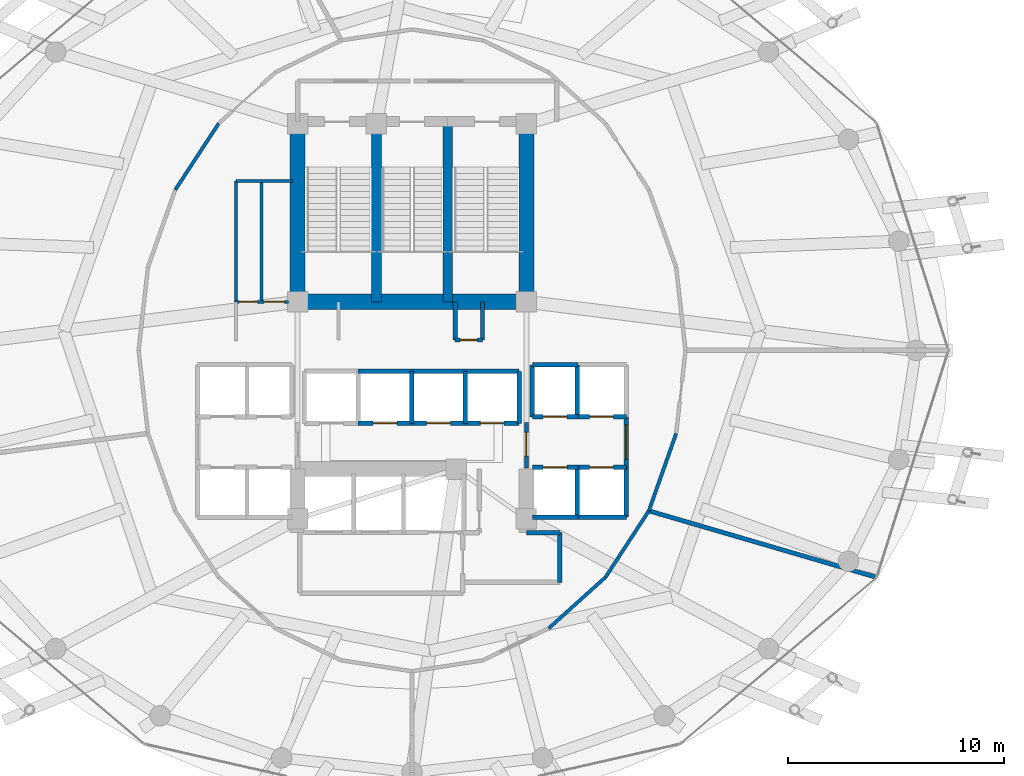
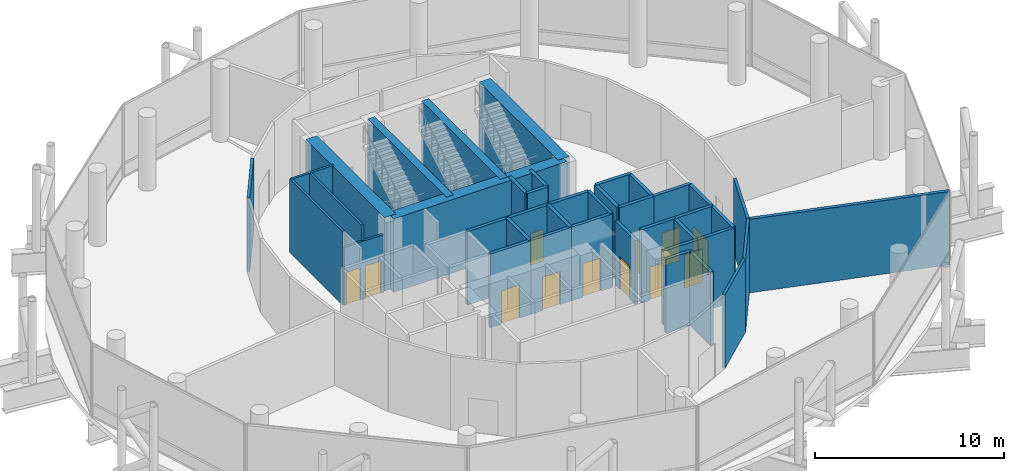
# One storey, part 23 of 29: 41 walls, 12 doors, 12 openings.
"""IFC4 building model written with IfcOpenShell, lengths in metres."""

from ifc_helpers import new_model, si_unit, direction, frame, frame_2d, origin, place, context, subcontext, project, spatial, rectangle, extrude, material, layer, layer_set, type_object, element, fill, save


model = new_model("IFC4")

# Units and contexts
model_context = context("Model", 3, precision=1e-05, world=origin(), true_north=direction((0.0, 1.0)))
body_context = subcontext(model_context, "Body", "Model", "MODEL_VIEW")
ifc_project = project(units=[si_unit("LENGTHUNIT", "METRE"), si_unit("AREAUNIT", "SQUARE_METRE"), si_unit("VOLUMEUNIT", "CUBIC_METRE"), si_unit("PLANEANGLEUNIT", "RADIAN"), si_unit("MASSUNIT", "GRAM", prefix="KILO")], contexts=[model_context])

# Site, building, storey
site_placement = place(None, origin())
site = spatial("IfcSite", under=ifc_project, at=site_placement, CompositionType="ELEMENT")
building_placement = place(site_placement, origin())
building = spatial("IfcBuilding", under=site, at=building_placement, Name="Nuhasar Tower", CompositionType="ELEMENT")
storey_placement = place(building_placement, frame((0.0, 0.0, 113.25)))
storey = spatial("IfcBuildingStorey", under=building, at=storey_placement, Name="L26", CompositionType="ELEMENT", Elevation=113.25)

# Walls
ifc_material_1 = material(Name="Concrete C50/60", Category="concrete")
ifc_layer_1 = layer(ifc_material_1, 0.449951171875)
ifc_layer_set_1 = layer_set([ifc_layer_1], Name="Concrete C50/60")
wall_type_1 = type_object("IfcWallType", Name="WL-CORE-450", PredefinedType="SHEAR", material=ifc_layer_set_1)
for number, where, z_axis, x_axis, name in (
    (1, (37.35009765625, 29.050048828125, 0.0), (0.0, 0.0, 1.0), (0.0, 1.0, 0.0), "L26 Stairwell Shear Wall ST01-E"),
    (2, (40.64990234375, 29.050048828125, 0.0), (0.0, 0.0, 1.0), (0.0, 1.0, 0.0), "L26 Stairwell Shear Wall ST03-E"),
):
    element("IfcWall", number, at=place(storey_placement, frame(where, z_axis=z_axis, x_axis=x_axis)), inside=storey, type_object=wall_type_1, Name=name, PredefinedType="SHEAR", context=body_context, shape_type="SweptSolid", body=[
        extrude(rectangle(XDim=8.349853515625, YDim=0.449951171875, at=frame_2d((4.1748046875, 0.0))), origin(), (0.0, 0.0, 1.0), 4.75),
    ])
ifc_material_2 = material(Name="Concrete C65/80", Category="concrete")
ifc_layer_2 = layer(ifc_material_2, 0.699951171875)
ifc_layer_set_2 = layer_set([ifc_layer_2], Name="Concrete C65/80")
wall_type_2 = type_object("IfcWallType", Name="WL-CORE-700", PredefinedType="SHEAR", material=ifc_layer_set_2)
for number, where, z_axis, x_axis, name in (
    (3, (33.699951171875, 29.050048828125, 0.0), (0.0, 0.0, 1.0), (0.0, 1.0, 0.0), "L26 Core Shear Wall CW-NW CW-700"),
    (4, (44.300048828125, 29.050048828125, 0.0), (0.0, 0.0, 1.0), (0.0, 1.0, 0.0), "L26 Core Shear Wall CW-NE CW-700"),
):
    element("IfcWall", number, at=place(storey_placement, frame(where, z_axis=z_axis, x_axis=x_axis)), inside=storey, type_object=wall_type_2, Name=name, PredefinedType="SHEAR", context=body_context, shape_type="SweptSolid", body=[
        extrude(rectangle(XDim=8.349853515625, YDim=0.699951171875, at=frame_2d((4.1748046875, 0.0))), origin(), (0.0, 0.0, 1.0), 4.75),
    ])
wall_1_placement = place(storey_placement, frame((33.699951171875, 29.050048828125, 0.0), z_axis=(0.0, 0.0, 1.0), x_axis=(1.0, 0.0, 0.0)))
element("IfcWall", 5, at=wall_1_placement, inside=storey, type_object=wall_type_2, Name="L26 Core Shear Wall CW-N1 CW-700", PredefinedType="SHEAR", context=body_context, shape_type="SweptSolid", body=[
    extrude(rectangle(XDim=10.60009765625, YDim=0.699951171875, at=frame_2d((5.300048828125, 0.0))), origin(), (0.0, 0.0, 1.0), 4.75),
])
ifc_material_3 = material(Name="Gypsum Board", Category="gypsum")
ifc_layer_3 = layer(ifc_material_3, 0.159912109375)
ifc_layer_set_3 = layer_set([ifc_layer_3], Name="Gypsum Board")
wall_type_3 = type_object("IfcWallType", Name="WL-CORR-160", PredefinedType="PARTITIONING", material=ifc_layer_set_3)
wall_2_placement = place(storey_placement, frame((30.041015625, 37.31494140625, 0.0), z_axis=(0.0, 0.0, 1.0), x_axis=(-0.547283325884, -0.836947406477, 0.0)))
element("IfcWall", 6, at=wall_2_placement, inside=storey, type_object=wall_type_3, Name="L26 Interior Partition CORR-18", PredefinedType="PARTITIONING", context=body_context, shape_type="SweptSolid", body=[
    extrude(rectangle(XDim=3.679931640625, YDim=0.159912109375, at=frame_2d((1.83984375, 0.0))), origin(), (0.0, 0.0, 1.0), 4.75),
])
wall_3_placement = place(storey_placement, frame((45.3349609375, 13.922119140625, 0.0), z_axis=(0.0, 0.0, 1.0), x_axis=(0.743129101656, 0.66914806902, 0.0)))
element("IfcWall", 7, at=wall_3_placement, inside=storey, type_object=wall_type_3, Name="L26 Interior Partition CORR-40", PredefinedType="PARTITIONING", context=body_context, shape_type="SweptSolid", body=[
    extrude(rectangle(XDim=3.531005859375, YDim=0.159912109375, at=frame_2d((1.765625, 0.0))), origin(), (0.0, 0.0, 1.0), 4.75),
])
wall_4_placement = place(storey_placement, frame((47.958984375, 16.284912109375, 0.0), z_axis=(0.0, 0.0, 1.0), x_axis=(0.547252937869, 0.836967276537, 0.0)))
element("IfcWall", 8, at=wall_4_placement, inside=storey, type_object=wall_type_3, Name="L26 Interior Partition CORR-42", PredefinedType="PARTITIONING", context=body_context, shape_type="SweptSolid", body=[
    extrude(rectangle(XDim=3.679931640625, YDim=0.159912109375, at=frame_2d((1.83984375, 0.0))), origin(), (0.0, 0.0, 1.0), 4.75),
])
wall_5_placement = place(storey_placement, frame((49.972900390625, 19.364990234375, 0.0), z_axis=(0.0, 0.0, 1.0), x_axis=(0.332705930675, 0.943030627124, 0.0)))
element("IfcWall", 9, at=wall_5_placement, inside=storey, type_object=wall_type_3, Name="L26 Interior Partition CORR-44", PredefinedType="PARTITIONING", context=body_context, shape_type="SweptSolid", body=[
    extrude(rectangle(XDim=3.802490234375, YDim=0.159912109375, at=frame_2d((1.9013671875, 0.0))), origin(), (0.0, 0.0, 1.0), 4.75),
])

# Wall, opening, door
ifc_material_4 = material(Name="Concrete C45/55", Category="concrete")
ifc_layer_4 = layer(ifc_material_4, 0.199951171875)
ifc_layer_set_4 = layer_set([ifc_layer_4], Name="Concrete C45/55")
wall_type_4 = type_object("IfcWallType", Name="WL-LOBBY-200", PredefinedType="SOLIDWALL", material=ifc_layer_set_4)
wall_6_placement = place(storey_placement, frame((48.929931640625, 21.3798828125, 0.0), z_axis=(0.0, 0.0, 1.0), x_axis=(0.0, 1.0, 0.0)))
wall_6 = element("IfcWall", 10, at=wall_6_placement, inside=storey, type_object=wall_type_4, Name="L26 Interior Partition LLBM-E", PredefinedType="SOLIDWALL", context=body_context, shape_type="SweptSolid", body=[
    extrude(rectangle(XDim=2.340087890625, YDim=0.199951171875, at=frame_2d((1.169921875, 0.0))), origin(), (0.0, 0.0, 1.0), 4.75),
])
opening_1_placement = place(wall_6_placement, frame((0.3701171875, 0.0, 0.0)))
opening_1 = element("IfcOpeningElement", 11, at=opening_1_placement, cuts=wall_6, Name="Opening DC-01", PredefinedType="OPENING", context=body_context, shape_type="SweptSolid", body=[
    extrude(rectangle(XDim=1.60009765625, YDim=2.199951171875, at=frame_2d((0.800048828125, 1.10009765625))), frame((0.0, 0.10986328125, 0.0), z_axis=(0.0, -1.0, 0.0), x_axis=(1.0, 0.0, 0.0)), (0.0, 0.0, 1.0), 0.219970703125),
])
ifc_material_5 = material(Name="Steel S355", Category="steel")
door_type_1 = type_object("IfcDoorType", Name="DR-CORR-FD60-1600", OperationType="DOUBLE_DOOR_SINGLE_SWING", PredefinedType="DOOR", material=ifc_material_5)
door_1_placement = place(opening_1_placement, origin())
door_1 = element("IfcDoor", 12, at=door_1_placement, inside=storey, type_object=door_type_1, Name="L26 Mid-Rise Lift Lobby East Entry", OperationType="DOUBLE_DOOR_SINGLE_SWING", OverallHeight=2.199951171875, OverallWidth=1.60009765625, PredefinedType="DOOR", context=body_context, shape_type="SweptSolid", body=[
    extrude(rectangle(XDim=1.60009765625, YDim=2.199951171875, at=frame_2d((0.800048828125, 1.10009765625))), frame((0.0, 0.02490234375, 0.0), z_axis=(0.0, -1.0, 0.0), x_axis=(1.0, 0.0, 0.0)), (0.0, 0.0, 1.0), 0.050048828125),
])
fill(opening_1, door_1)

wall_7_placement = place(storey_placement, frame((44.300048828125, 21.35009765625, 0.0), z_axis=(0.0, 0.0, 1.0), x_axis=(0.0, 1.0, 0.0)))
wall_7 = element("IfcWall", 13, at=wall_7_placement, inside=storey, type_object=wall_type_4, Name="L26 Interior Partition LLBH-E", PredefinedType="SOLIDWALL", context=body_context, shape_type="SweptSolid", body=[
    extrude(rectangle(XDim=2.099853515625, YDim=0.199951171875, at=frame_2d((1.0498046875, 0.0))), origin(), (0.0, 0.0, 1.0), 4.135009765625),
])
opening_2_placement = place(wall_7_placement, frame((0.550048828125, 0.0, 0.0)))
opening_2 = element("IfcOpeningElement", 14, at=opening_2_placement, cuts=wall_7, Name="Opening DS-02", PredefinedType="OPENING", context=body_context, shape_type="SweptSolid", body=[
    extrude(rectangle(XDim=1.10009765625, YDim=2.14990234375, at=frame_2d((0.550048828125, 1.074951171875))), frame((0.0, 0.10986328125, 0.0), z_axis=(0.0, -1.0, 0.0), x_axis=(1.0, 0.0, 0.0)), (0.0, 0.0, 1.0), 0.219970703125),
])
door_type_2 = type_object("IfcDoorType", Name="DR-FFL-FD120-1100", OperationType="NOTDEFINED", PredefinedType="DOOR", material=ifc_material_5)
door_2_placement = place(opening_2_placement, origin())
door_2 = element("IfcDoor", 15, at=door_2_placement, inside=storey, type_object=door_type_2, Name="L26 High-Rise Lobby East Door", OperationType="SINGLE_SWING_RIGHT", OverallHeight=2.14990234375, OverallWidth=1.10009765625, PredefinedType="DOOR", context=body_context, shape_type="SweptSolid", body=[
    extrude(rectangle(XDim=1.10009765625, YDim=2.14990234375, at=frame_2d((0.550048828125, 1.074951171875))), frame((0.0, 0.02490234375, 0.0), z_axis=(0.0, -1.0, 0.0), x_axis=(1.0, 0.0, 0.0)), (0.0, 0.0, 1.0), 0.050048828125),
])
fill(opening_2, door_2)

# Walls
wall_8_placement = place(storey_placement, frame((45.85009765625, 16.050048828125, 0.0), z_axis=(0.0, 0.0, 1.0), x_axis=(0.0, 1.0, 0.0)))
element("IfcWall", 16, at=wall_8_placement, inside=storey, type_object=wall_type_4, Name="L26 Interior Partition SVLV-E", PredefinedType="SOLIDWALL", context=body_context, shape_type="SweptSolid", body=[
    extrude(rectangle(XDim=2.300048828125, YDim=0.199951171875, at=frame_2d((1.14990234375, 0.0))), origin(), (0.0, 0.0, 1.0), 4.75),
])
wall_9_placement = place(storey_placement, frame((44.300048828125, 18.35009765625, 0.0), z_axis=(0.0, 0.0, 1.0), x_axis=(1.0, 0.0, 0.0)))
element("IfcWall", 17, at=wall_9_placement, inside=storey, type_object=wall_type_4, Name="L26 Interior Partition SVLV-N", PredefinedType="SOLIDWALL", context=body_context, shape_type="SweptSolid", body=[
    extrude(rectangle(XDim=1.550048828125, YDim=0.199951171875, at=frame_2d((0.77490234375, 0.0))), origin(), (0.0, 0.0, 1.0), 4.75),
])
ifc_layer_5 = layer(ifc_material_4, 0.199951171875)
ifc_layer_set_5 = layer_set([ifc_layer_5], Name="Concrete C45/55")
wall_type_5 = type_object("IfcWallType", Name="WL-SHAFT-200", PredefinedType="SOLIDWALL", material=ifc_layer_set_5)
for number, where, z_axis, x_axis, name in (
    (18, (41.0, 27.280029296875, 0.0), (0.0, 0.0, 1.0), (0.0, 1.0, 0.0), "L26 Interior Partition RSRN-W"),
    (19, (42.260009765625, 27.280029296875, 0.0), (0.0, 0.0, 1.0), (0.0, 1.0, 0.0), "L26 Interior Partition RSRN-E"),
):
    element("IfcWall", number, at=place(storey_placement, frame(where, z_axis=z_axis, x_axis=x_axis)), inside=storey, type_object=wall_type_5, Name=name, PredefinedType="SOLIDWALL", context=body_context, shape_type="SweptSolid", body=[
        extrude(rectangle(XDim=1.77001953125, YDim=0.199951171875, at=frame_2d((0.885009765625, 0.0))), origin(), (0.0, 0.0, 1.0), 4.75),
    ])

# Wall, opening, door
wall_10_placement = place(storey_placement, frame((41.0, 27.280029296875, 0.0), z_axis=(0.0, 0.0, 1.0), x_axis=(1.0, 0.0, 0.0)))
wall_10 = element("IfcWall", 20, at=wall_10_placement, inside=storey, type_object=wall_type_5, Name="L26 Interior Partition RSRN-S", PredefinedType="SOLIDWALL", context=body_context, shape_type="SweptSolid", body=[
    extrude(rectangle(XDim=1.260009765625, YDim=0.199951171875, at=frame_2d((0.6298828125, 0.0))), origin(), (0.0, 0.0, 1.0), 4.75),
])
opening_3_placement = place(wall_10_placement, frame((0.22998046875, 0.0, 0.0)))
opening_3 = element("IfcOpeningElement", 21, at=opening_3_placement, cuts=wall_10, Name="Opening DM-01", PredefinedType="OPENING", context=body_context, shape_type="SweptSolid", body=[
    extrude(rectangle(XDim=0.800048828125, YDim=2.050048828125, at=frame_2d((0.39990234375, 1.02490234375))), frame((0.0, 0.10986328125, 0.0), z_axis=(0.0, -1.0, 0.0), x_axis=(1.0, 0.0, 0.0)), (0.0, 0.0, 1.0), 0.219970703125),
])
door_type_3 = type_object("IfcDoorType", Name="DR-RISER-FD60-800", OperationType="NOTDEFINED", PredefinedType="DOOR", material=ifc_material_5)
door_3_placement = place(opening_3_placement, origin())
door_3 = element("IfcDoor", 22, at=door_3_placement, inside=storey, type_object=door_type_3, Name="L26 North Smoke Riser Door", OperationType="SINGLE_SWING_RIGHT", OverallHeight=2.050048828125, OverallWidth=0.800048828125, PredefinedType="DOOR", context=body_context, shape_type="SweptSolid", body=[
    extrude(rectangle(XDim=0.800048828125, YDim=2.050048828125, at=frame_2d((0.39990234375, 1.02490234375))), frame((0.0, 0.02490234375, 0.0), z_axis=(0.0, -1.0, 0.0), x_axis=(1.0, 0.0, 0.0)), (0.0, 0.0, 1.0), 0.050048828125),
])
fill(opening_3, door_3)

wall_11_placement = place(storey_placement, frame((44.570068359375, 23.719970703125, 0.0), z_axis=(0.0, 0.0, 1.0), x_axis=(1.0, 0.0, 0.0)))
wall_11 = element("IfcWall", 23, at=wall_11_placement, inside=storey, type_object=wall_type_5, Name="L26 Interior Partition SHF-PL-M01-S", PredefinedType="SOLIDWALL", context=body_context, shape_type="SweptSolid", body=[
    extrude(rectangle(XDim=2.10986328125, YDim=0.199951171875, at=frame_2d((1.054931640625, 0.0))), origin(), (0.0, 0.0, 1.0), 4.75),
])
opening_4_placement = place(wall_11_placement, frame((0.5048828125, 0.0, 0.0)))
opening_4 = element("IfcOpeningElement", 24, at=opening_4_placement, cuts=wall_11, Name="Opening LD-M01", PredefinedType="OPENING", context=body_context, shape_type="SweptSolid", body=[
    extrude(rectangle(XDim=1.10009765625, YDim=2.14990234375, at=frame_2d((0.550048828125, 1.074951171875))), frame((0.0, 0.10986328125, 0.0), z_axis=(0.0, -1.0, 0.0), x_axis=(1.0, 0.0, 0.0)), (0.0, 0.0, 1.0), 0.219970703125),
])
ifc_material_6 = material(Name="Stainless Steel 316L", Category="steel")
door_type_4 = type_object("IfcDoorType", Name="LD-PAX-1100", OperationType="DOUBLE_DOOR_SLIDING", PredefinedType="DOOR", material=ifc_material_6)
door_4_placement = place(opening_4_placement, origin())
door_4 = element("IfcDoor", 25, at=door_4_placement, inside=storey, type_object=door_type_4, Name="L26 Lift Landing Door PL-M01", OperationType="DOUBLE_DOOR_SLIDING", OverallHeight=2.14990234375, OverallWidth=1.10009765625, PredefinedType="DOOR", context=body_context, shape_type="SweptSolid", body=[
    extrude(rectangle(XDim=1.10009765625, YDim=2.14990234375, at=frame_2d((0.550048828125, 1.074951171875))), frame((0.0, 0.02490234375, 0.0), z_axis=(0.0, -1.0, 0.0), x_axis=(1.0, 0.0, 0.0)), (0.0, 0.0, 1.0), 0.050048828125),
])
fill(opening_4, door_4)

# Walls
wall_12_placement = place(storey_placement, frame((44.570068359375, 26.1298828125, 0.0), z_axis=(0.0, 0.0, 1.0), x_axis=(1.0, 0.0, 0.0)))
element("IfcWall", 26, at=wall_12_placement, inside=storey, type_object=wall_type_5, Name="L26 Interior Partition SHF-PL-M01-N", PredefinedType="SOLIDWALL", context=body_context, shape_type="SweptSolid", body=[
    extrude(rectangle(XDim=2.10986328125, YDim=0.199951171875, at=frame_2d((1.054931640625, 0.0))), origin(), (0.0, 0.0, 1.0), 4.75),
])
for number, where, z_axis, x_axis, name in (
    (27, (44.570068359375, 23.719970703125, 0.0), (0.0, 0.0, 1.0), (0.0, 1.0, 0.0), "L26 Interior Partition SHF-PL-M01-W"),
    (28, (46.64990234375, 23.719970703125, 0.0), (0.0, 0.0, 1.0), (0.0, 1.0, 0.0), "L26 Interior Partition SHF-PL-M01-E"),
):
    element("IfcWall", number, at=place(storey_placement, frame(where, z_axis=z_axis, x_axis=x_axis)), inside=storey, type_object=wall_type_5, Name=name, PredefinedType="SOLIDWALL", context=body_context, shape_type="SweptSolid", body=[
        extrude(rectangle(XDim=2.409912109375, YDim=0.199951171875, at=frame_2d((1.205078125, 0.0))), origin(), (0.0, 0.0, 1.0), 4.75),
    ])

# Wall, opening, door
wall_13_placement = place(storey_placement, frame((46.6201171875, 23.719970703125, 0.0), z_axis=(0.0, 0.0, 1.0), x_axis=(1.0, 0.0, 0.0)))
wall_13 = element("IfcWall", 29, at=wall_13_placement, inside=storey, type_object=wall_type_5, Name="L26 Interior Partition SHF-PL-M02-S", PredefinedType="SOLIDWALL", context=body_context, shape_type="SweptSolid", body=[
    extrude(rectangle(XDim=2.309814453125, YDim=0.199951171875, at=frame_2d((1.15478515625, 0.0))), origin(), (0.0, 0.0, 1.0), 4.75),
])
opening_5_placement = place(wall_13_placement, frame((0.60498046875, 0.0, 0.0)))
opening_5 = element("IfcOpeningElement", 30, at=opening_5_placement, cuts=wall_13, Name="Opening LD-M02", PredefinedType="OPENING", context=body_context, shape_type="SweptSolid", body=[
    extrude(rectangle(XDim=1.10009765625, YDim=2.14990234375, at=frame_2d((0.550048828125, 1.074951171875))), frame((0.0, 0.10986328125, 0.0), z_axis=(0.0, -1.0, 0.0), x_axis=(1.0, 0.0, 0.0)), (0.0, 0.0, 1.0), 0.219970703125),
])
door_5_placement = place(opening_5_placement, origin())
door_5 = element("IfcDoor", 31, at=door_5_placement, inside=storey, type_object=door_type_4, Name="L26 Lift Landing Door PL-M02", OperationType="DOUBLE_DOOR_SLIDING", OverallHeight=2.14990234375, OverallWidth=1.10009765625, PredefinedType="DOOR", context=body_context, shape_type="SweptSolid", body=[
    extrude(rectangle(XDim=1.10009765625, YDim=2.14990234375, at=frame_2d((0.550048828125, 1.074951171875))), frame((0.0, 0.02490234375, 0.0), z_axis=(0.0, -1.0, 0.0), x_axis=(1.0, 0.0, 0.0)), (0.0, 0.0, 1.0), 0.050048828125),
])
fill(opening_5, door_5)

# Wall
wall_14_placement = place(storey_placement, frame((44.570068359375, 19.070068359375, 0.0), z_axis=(0.0, 0.0, 1.0), x_axis=(1.0, 0.0, 0.0)))
element("IfcWall", 32, at=wall_14_placement, inside=storey, type_object=wall_type_5, Name="L26 Interior Partition SHF-PL-M03-S", PredefinedType="SOLIDWALL", context=body_context, shape_type="SweptSolid", body=[
    extrude(rectangle(XDim=2.10986328125, YDim=0.199951171875, at=frame_2d((1.054931640625, 0.0))), origin(), (0.0, 0.0, 1.0), 4.75),
])

# Wall, opening, door
wall_15_placement = place(storey_placement, frame((44.570068359375, 21.3798828125, 0.0), z_axis=(0.0, 0.0, 1.0), x_axis=(1.0, 0.0, 0.0)))
wall_15 = element("IfcWall", 33, at=wall_15_placement, inside=storey, type_object=wall_type_5, Name="L26 Interior Partition SHF-PL-M03-N", PredefinedType="SOLIDWALL", context=body_context, shape_type="SweptSolid", body=[
    extrude(rectangle(XDim=2.10986328125, YDim=0.199951171875, at=frame_2d((1.054931640625, 0.0))), origin(), (0.0, 0.0, 1.0), 4.75),
])
opening_6_placement = place(wall_15_placement, frame((0.5048828125, 0.0, 0.0)))
opening_6 = element("IfcOpeningElement", 34, at=opening_6_placement, cuts=wall_15, Name="Opening LD-M03", PredefinedType="OPENING", context=body_context, shape_type="SweptSolid", body=[
    extrude(rectangle(XDim=1.10009765625, YDim=2.14990234375, at=frame_2d((0.550048828125, 1.074951171875))), frame((0.0, 0.10986328125, 0.0), z_axis=(0.0, -1.0, 0.0), x_axis=(1.0, 0.0, 0.0)), (0.0, 0.0, 1.0), 0.219970703125),
])
door_6_placement = place(opening_6_placement, origin())
door_6 = element("IfcDoor", 35, at=door_6_placement, inside=storey, type_object=door_type_4, Name="L26 Lift Landing Door PL-M03", OperationType="DOUBLE_DOOR_SLIDING", OverallHeight=2.14990234375, OverallWidth=1.10009765625, PredefinedType="DOOR", context=body_context, shape_type="SweptSolid", body=[
    extrude(rectangle(XDim=1.10009765625, YDim=2.14990234375, at=frame_2d((0.550048828125, 1.074951171875))), frame((0.0, 0.02490234375, 0.0), z_axis=(0.0, -1.0, 0.0), x_axis=(1.0, 0.0, 0.0)), (0.0, 0.0, 1.0), 0.050048828125),
])
fill(opening_6, door_6)

# Walls
for number, where, z_axis, x_axis, name in (
    (36, (46.64990234375, 19.070068359375, 0.0), (0.0, 0.0, 1.0), (0.0, 1.0, 0.0), "L26 Interior Partition SHF-PL-M03-E"),
    (37, (46.6201171875, 19.070068359375, 0.0), (0.0, 0.0, 1.0), (1.0, 0.0, 0.0), "L26 Interior Partition SHF-PL-M04-S"),
):
    element("IfcWall", number, at=place(storey_placement, frame(where, z_axis=z_axis, x_axis=x_axis)), inside=storey, type_object=wall_type_5, Name=name, PredefinedType="SOLIDWALL", context=body_context, shape_type="SweptSolid", body=[
        extrude(rectangle(XDim=2.309814453125, YDim=0.199951171875, at=frame_2d((1.15478515625, 0.0))), origin(), (0.0, 0.0, 1.0), 4.75),
    ])

# Wall, opening, door
wall_16_placement = place(storey_placement, frame((46.6201171875, 21.3798828125, 0.0), z_axis=(0.0, 0.0, 1.0), x_axis=(1.0, 0.0, 0.0)))
wall_16 = element("IfcWall", 38, at=wall_16_placement, inside=storey, type_object=wall_type_5, Name="L26 Interior Partition SHF-PL-M04-N", PredefinedType="SOLIDWALL", context=body_context, shape_type="SweptSolid", body=[
    extrude(rectangle(XDim=2.309814453125, YDim=0.199951171875, at=frame_2d((1.15478515625, 0.0))), origin(), (0.0, 0.0, 1.0), 4.75),
])
opening_7_placement = place(wall_16_placement, frame((0.60498046875, 0.0, 0.0)))
opening_7 = element("IfcOpeningElement", 39, at=opening_7_placement, cuts=wall_16, Name="Opening LD-M04", PredefinedType="OPENING", context=body_context, shape_type="SweptSolid", body=[
    extrude(rectangle(XDim=1.10009765625, YDim=2.14990234375, at=frame_2d((0.550048828125, 1.074951171875))), frame((0.0, 0.10986328125, 0.0), z_axis=(0.0, -1.0, 0.0), x_axis=(1.0, 0.0, 0.0)), (0.0, 0.0, 1.0), 0.219970703125),
])
door_7_placement = place(opening_7_placement, origin())
door_7 = element("IfcDoor", 40, at=door_7_placement, inside=storey, type_object=door_type_4, Name="L26 Lift Landing Door PL-M04", OperationType="DOUBLE_DOOR_SLIDING", OverallHeight=2.14990234375, OverallWidth=1.10009765625, PredefinedType="DOOR", context=body_context, shape_type="SweptSolid", body=[
    extrude(rectangle(XDim=1.10009765625, YDim=2.14990234375, at=frame_2d((0.550048828125, 1.074951171875))), frame((0.0, 0.02490234375, 0.0), z_axis=(0.0, -1.0, 0.0), x_axis=(1.0, 0.0, 0.0)), (0.0, 0.0, 1.0), 0.050048828125),
])
fill(opening_7, door_7)

# Wall
wall_17_placement = place(storey_placement, frame((48.929931640625, 19.070068359375, 0.0), z_axis=(0.0, 0.0, 1.0), x_axis=(0.0, 1.0, 0.0)))
element("IfcWall", 41, at=wall_17_placement, inside=storey, type_object=wall_type_5, Name="L26 Interior Partition SHF-PL-M04-E", PredefinedType="SOLIDWALL", context=body_context, shape_type="SweptSolid", body=[
    extrude(rectangle(XDim=2.309814453125, YDim=0.199951171875, at=frame_2d((1.15478515625, 0.0))), origin(), (0.0, 0.0, 1.0), 4.75),
])

# Wall, opening, door
wall_18_placement = place(storey_placement, frame((36.5, 23.419921875, 0.0), z_axis=(0.0, 0.0, 1.0), x_axis=(1.0, 0.0, 0.0)))
wall_18 = element("IfcWall", 42, at=wall_18_placement, inside=storey, type_object=wall_type_5, Name="L26 Interior Partition SHF-PL-H02-S", PredefinedType="SOLIDWALL", context=body_context, shape_type="SweptSolid", body=[
    extrude(rectangle(XDim=2.5, YDim=0.199951171875, at=frame_2d((1.25, 0.0))), origin(), (0.0, 0.0, 1.0), 4.75),
])
opening_8_placement = place(wall_18_placement, frame((0.699951171875, 0.0, 0.0)))
opening_8 = element("IfcOpeningElement", 43, at=opening_8_placement, cuts=wall_18, Name="Opening LD-H02", PredefinedType="OPENING", context=body_context, shape_type="SweptSolid", body=[
    extrude(rectangle(XDim=1.10009765625, YDim=2.14990234375, at=frame_2d((0.550048828125, 1.074951171875))), frame((0.0, 0.10986328125, 0.0), z_axis=(0.0, -1.0, 0.0), x_axis=(1.0, 0.0, 0.0)), (0.0, 0.0, 1.0), 0.219970703125),
])
door_8_placement = place(opening_8_placement, origin())
door_8 = element("IfcDoor", 44, at=door_8_placement, inside=storey, type_object=door_type_4, Name="L26 Lift Landing Door PL-H02", OperationType="DOUBLE_DOOR_SLIDING", OverallHeight=2.14990234375, OverallWidth=1.10009765625, PredefinedType="DOOR", context=body_context, shape_type="SweptSolid", body=[
    extrude(rectangle(XDim=1.10009765625, YDim=2.14990234375, at=frame_2d((0.550048828125, 1.074951171875))), frame((0.0, 0.02490234375, 0.0), z_axis=(0.0, -1.0, 0.0), x_axis=(1.0, 0.0, 0.0)), (0.0, 0.0, 1.0), 0.050048828125),
])
fill(opening_8, door_8)

# Walls
wall_19_placement = place(storey_placement, frame((36.5, 25.830078125, 0.0), z_axis=(0.0, 0.0, 1.0), x_axis=(1.0, 0.0, 0.0)))
element("IfcWall", 45, at=wall_19_placement, inside=storey, type_object=wall_type_5, Name="L26 Interior Partition SHF-PL-H02-N", PredefinedType="SOLIDWALL", context=body_context, shape_type="SweptSolid", body=[
    extrude(rectangle(XDim=2.5, YDim=0.199951171875, at=frame_2d((1.25, 0.0))), origin(), (0.0, 0.0, 1.0), 4.75),
])
wall_20_placement = place(storey_placement, frame((38.989990234375, 23.419921875, 0.0), z_axis=(0.0, 0.0, 1.0), x_axis=(0.0, 1.0, 0.0)))
element("IfcWall", 46, at=wall_20_placement, inside=storey, type_object=wall_type_5, Name="L26 Interior Partition SHF-PL-H02-E", PredefinedType="SOLIDWALL", context=body_context, shape_type="SweptSolid", body=[
    extrude(rectangle(XDim=2.41015625, YDim=0.199951171875, at=frame_2d((1.205078125, 0.0))), origin(), (0.0, 0.0, 1.0), 4.75),
])

# Wall, opening, door
wall_21_placement = place(storey_placement, frame((38.97998046875, 23.419921875, 0.0), z_axis=(0.0, 0.0, 1.0), x_axis=(1.0, 0.0, 0.0)))
wall_21 = element("IfcWall", 47, at=wall_21_placement, inside=storey, type_object=wall_type_5, Name="L26 Interior Partition SHF-PL-H03-S", PredefinedType="SOLIDWALL", context=body_context, shape_type="SweptSolid", body=[
    extrude(rectangle(XDim=2.5, YDim=0.199951171875, at=frame_2d((1.25, 0.0))), origin(), (0.0, 0.0, 1.0), 4.75),
])
opening_9_placement = place(wall_21_placement, frame((0.699951171875, 0.0, 0.0)))
opening_9 = element("IfcOpeningElement", 48, at=opening_9_placement, cuts=wall_21, Name="Opening LD-H03", PredefinedType="OPENING", context=body_context, shape_type="SweptSolid", body=[
    extrude(rectangle(XDim=1.10009765625, YDim=2.14990234375, at=frame_2d((0.550048828125, 1.074951171875))), frame((0.0, 0.10986328125, 0.0), z_axis=(0.0, -1.0, 0.0), x_axis=(1.0, 0.0, 0.0)), (0.0, 0.0, 1.0), 0.219970703125),
])
door_9_placement = place(opening_9_placement, origin())
door_9 = element("IfcDoor", 49, at=door_9_placement, inside=storey, type_object=door_type_4, Name="L26 Lift Landing Door PL-H03", OperationType="DOUBLE_DOOR_SLIDING", OverallHeight=2.14990234375, OverallWidth=1.10009765625, PredefinedType="DOOR", context=body_context, shape_type="SweptSolid", body=[
    extrude(rectangle(XDim=1.10009765625, YDim=2.14990234375, at=frame_2d((0.550048828125, 1.074951171875))), frame((0.0, 0.02490234375, 0.0), z_axis=(0.0, -1.0, 0.0), x_axis=(1.0, 0.0, 0.0)), (0.0, 0.0, 1.0), 0.050048828125),
])
fill(opening_9, door_9)

# Walls
wall_22_placement = place(storey_placement, frame((38.97998046875, 25.830078125, 0.0), z_axis=(0.0, 0.0, 1.0), x_axis=(1.0, 0.0, 0.0)))
element("IfcWall", 50, at=wall_22_placement, inside=storey, type_object=wall_type_5, Name="L26 Interior Partition SHF-PL-H03-N", PredefinedType="SOLIDWALL", context=body_context, shape_type="SweptSolid", body=[
    extrude(rectangle(XDim=2.5, YDim=0.199951171875, at=frame_2d((1.25, 0.0))), origin(), (0.0, 0.0, 1.0), 4.75),
])
wall_23_placement = place(storey_placement, frame((41.469970703125, 23.419921875, 0.0), z_axis=(0.0, 0.0, 1.0), x_axis=(0.0, 1.0, 0.0)))
element("IfcWall", 51, at=wall_23_placement, inside=storey, type_object=wall_type_5, Name="L26 Interior Partition SHF-PL-H03-E", PredefinedType="SOLIDWALL", context=body_context, shape_type="SweptSolid", body=[
    extrude(rectangle(XDim=2.41015625, YDim=0.199951171875, at=frame_2d((1.205078125, 0.0))), origin(), (0.0, 0.0, 1.0), 4.75),
])

# Wall, opening, door
wall_24_placement = place(storey_placement, frame((41.4599609375, 23.419921875, 0.0), z_axis=(0.0, 0.0, 1.0), x_axis=(1.0, 0.0, 0.0)))
wall_24 = element("IfcWall", 52, at=wall_24_placement, inside=storey, type_object=wall_type_5, Name="L26 Interior Partition SHF-PL-H04-S", PredefinedType="SOLIDWALL", context=body_context, shape_type="SweptSolid", body=[
    extrude(rectangle(XDim=2.5, YDim=0.199951171875, at=frame_2d((1.25, 0.0))), origin(), (0.0, 0.0, 1.0), 4.75),
])
opening_10_placement = place(wall_24_placement, frame((0.699951171875, 0.0, 0.0)))
opening_10 = element("IfcOpeningElement", 53, at=opening_10_placement, cuts=wall_24, Name="Opening LD-H04", PredefinedType="OPENING", context=body_context, shape_type="SweptSolid", body=[
    extrude(rectangle(XDim=1.10009765625, YDim=2.14990234375, at=frame_2d((0.550048828125, 1.074951171875))), frame((0.0, 0.10986328125, 0.0), z_axis=(0.0, -1.0, 0.0), x_axis=(1.0, 0.0, 0.0)), (0.0, 0.0, 1.0), 0.219970703125),
])
door_10_placement = place(opening_10_placement, origin())
door_10 = element("IfcDoor", 54, at=door_10_placement, inside=storey, type_object=door_type_4, Name="L26 Lift Landing Door PL-H04", OperationType="DOUBLE_DOOR_SLIDING", OverallHeight=2.14990234375, OverallWidth=1.10009765625, PredefinedType="DOOR", context=body_context, shape_type="SweptSolid", body=[
    extrude(rectangle(XDim=1.10009765625, YDim=2.14990234375, at=frame_2d((0.550048828125, 1.074951171875))), frame((0.0, 0.02490234375, 0.0), z_axis=(0.0, -1.0, 0.0), x_axis=(1.0, 0.0, 0.0)), (0.0, 0.0, 1.0), 0.050048828125),
])
fill(opening_10, door_10)

# Walls
wall_25_placement = place(storey_placement, frame((41.4599609375, 25.830078125, 0.0), z_axis=(0.0, 0.0, 1.0), x_axis=(1.0, 0.0, 0.0)))
element("IfcWall", 55, at=wall_25_placement, inside=storey, type_object=wall_type_5, Name="L26 Interior Partition SHF-PL-H04-N", PredefinedType="SOLIDWALL", context=body_context, shape_type="SweptSolid", body=[
    extrude(rectangle(XDim=2.5, YDim=0.199951171875, at=frame_2d((1.25, 0.0))), origin(), (0.0, 0.0, 1.0), 4.75),
])
wall_26_placement = place(storey_placement, frame((43.9599609375, 23.419921875, 0.0), z_axis=(0.0, 0.0, 1.0), x_axis=(0.0, 1.0, 0.0)))
element("IfcWall", 56, at=wall_26_placement, inside=storey, type_object=wall_type_5, Name="L26 Interior Partition SHF-PL-H04-E", PredefinedType="SOLIDWALL", context=body_context, shape_type="SweptSolid", body=[
    extrude(rectangle(XDim=2.41015625, YDim=0.199951171875, at=frame_2d((1.205078125, 0.0))), origin(), (0.0, 0.0, 1.0), 4.75),
])
ifc_material_7 = material(Name="Concrete C40/50 precast", Category="concrete")
ifc_layer_6 = layer(ifc_material_7, 0.199951171875)
ifc_layer_set_6 = layer_set([ifc_layer_6], Name="Concrete C40/50 precast")
wall_type_6 = type_object("IfcWallType", Name="WL-UNIT-200", PredefinedType="PARTITIONING", material=ifc_layer_set_6)
wall_27_placement = place(storey_placement, frame((49.972900390625, 19.364990234375, 0.0), z_axis=(0.0, 0.0, 1.0), x_axis=(0.959809539565, -0.28065218289, 0.0)))
element("IfcWall", 57, at=wall_27_placement, inside=storey, type_object=wall_type_6, Name="L26 Interior Partition SRAD-44", PredefinedType="PARTITIONING", context=body_context, shape_type="SweptSolid", body=[
    extrude(rectangle(XDim=10.966796875, YDim=0.199951171875, at=frame_2d((5.4833984375, 0.0))), origin(), (0.0, 0.0, 1.0), 4.75),
])

# Wall, openings, doors
ifc_layer_7 = layer(ifc_material_7, 0.139892578125)
ifc_layer_set_7 = layer_set([ifc_layer_7], Name="Concrete C40/50 precast")
wall_type_7 = type_object("IfcWallType", Name="WL-WET-140", PredefinedType="PARTITIONING", material=ifc_layer_set_7)
wall_28_placement = place(storey_placement, frame((30.85009765625, 29.050048828125, 0.0), z_axis=(0.0, 0.0, 1.0), x_axis=(1.0, 0.0, 0.0)))
wall_28 = element("IfcWall", 58, at=wall_28_placement, inside=storey, type_object=wall_type_7, Name="L26 Interior Partition K2-NW-S", PredefinedType="PARTITIONING", context=body_context, shape_type="SweptSolid", body=[
    extrude(rectangle(XDim=2.429931640625, YDim=0.139892578125, at=frame_2d((1.21484375, 0.0))), origin(), (0.0, 0.0, 1.0), 3.739990234375),
])
opening_11_placement = place(wall_28_placement, frame((0.139892578125, 0.0, 0.0)))
opening_11 = element("IfcOpeningElement", 59, at=opening_11_placement, cuts=wall_28, Name="Opening DB-01", PredefinedType="OPENING", context=body_context, shape_type="SweptSolid", body=[
    extrude(rectangle(XDim=0.85009765625, YDim=2.10009765625, at=frame_2d((0.425048828125, 1.050048828125))), frame((0.0, 0.080078125, 0.0), z_axis=(0.0, -1.0, 0.0), x_axis=(1.0, 0.0, 0.0)), (0.0, 0.0, 1.0), 0.159912109375),
])
opening_12_placement = place(wall_28_placement, frame((1.300048828125, 0.0, 0.0)))
opening_12 = element("IfcOpeningElement", 60, at=opening_12_placement, cuts=wall_28, Name="Opening DA-01", PredefinedType="OPENING", context=body_context, shape_type="SweptSolid", body=[
    extrude(rectangle(XDim=0.949951171875, YDim=2.10009765625, at=frame_2d((0.47509765625, 1.050048828125))), frame((0.0, 0.080078125, 0.0), z_axis=(0.0, -1.0, 0.0), x_axis=(1.0, 0.0, 0.0)), (0.0, 0.0, 1.0), 0.159912109375),
])
ifc_material_8 = material(Name="Timber Oak", Category="wood")
door_type_5 = type_object("IfcDoorType", Name="DR-ACCWC-950", OperationType="NOTDEFINED", PredefinedType="DOOR", material=ifc_material_8)
door_11_placement = place(opening_12_placement, origin())
door_11 = element("IfcDoor", 61, at=door_11_placement, inside=storey, type_object=door_type_5, Name="L26 NW Accessible WC Door", OperationType="SINGLE_SWING_RIGHT", OverallHeight=2.10009765625, OverallWidth=0.949951171875, PredefinedType="DOOR", context=body_context, shape_type="SweptSolid", body=[
    extrude(rectangle(XDim=0.949951171875, YDim=2.10009765625, at=frame_2d((0.47509765625, 1.050048828125))), frame((0.0, 0.02490234375, 0.0), z_axis=(0.0, -1.0, 0.0), x_axis=(1.0, 0.0, 0.0)), (0.0, 0.0, 1.0), 0.050048828125),
])
fill(opening_12, door_11)
door_type_6 = type_object("IfcDoorType", Name="DR-BATH-850", OperationType="NOTDEFINED", PredefinedType="DOOR", material=ifc_material_8)
door_12_placement = place(opening_11_placement, origin())
door_12 = element("IfcDoor", 62, at=door_12_placement, inside=storey, type_object=door_type_6, Name="L26 NW Female WC Door", OperationType="SINGLE_SWING_LEFT", OverallHeight=2.10009765625, OverallWidth=0.85009765625, PredefinedType="DOOR", context=body_context, shape_type="SweptSolid", body=[
    extrude(rectangle(XDim=0.85009765625, YDim=2.10009765625, at=frame_2d((0.425048828125, 1.050048828125))), frame((0.0, 0.02490234375, 0.0), z_axis=(0.0, -1.0, 0.0), x_axis=(1.0, 0.0, 0.0)), (0.0, 0.0, 1.0), 0.050048828125),
])
fill(opening_11, door_12)

# Walls
wall_29_placement = place(storey_placement, frame((32.02001953125, 29.050048828125, 0.0), z_axis=(0.0, 0.0, 1.0), x_axis=(0.0, 1.0, 0.0)))
element("IfcWall", 63, at=wall_29_placement, inside=storey, type_object=wall_type_7, Name="L26 Interior Partition K2-NW-V", PredefinedType="PARTITIONING", context=body_context, shape_type="SweptSolid", body=[
    extrude(rectangle(XDim=5.599853515625, YDim=0.139892578125, at=frame_2d((2.7998046875, 0.0))), origin(), (0.0, 0.0, 1.0), 4.75),
])
wall_30_placement = place(storey_placement, frame((30.85009765625, 34.64990234375, 0.0), z_axis=(0.0, 0.0, 1.0), x_axis=(1.0, 0.0, 0.0)))
element("IfcWall", 64, at=wall_30_placement, inside=storey, type_object=wall_type_7, Name="L26 Interior Partition K2-NW-N", PredefinedType="PARTITIONING", context=body_context, shape_type="SweptSolid", body=[
    extrude(rectangle(XDim=2.599853515625, YDim=0.139892578125, at=frame_2d((1.2998046875, 0.0))), origin(), (0.0, 0.0, 1.0), 4.75),
])
wall_31_placement = place(storey_placement, frame((30.85009765625, 29.050048828125, 0.0), z_axis=(0.0, 0.0, 1.0), x_axis=(0.0, 1.0, 0.0)))
element("IfcWall", 65, at=wall_31_placement, inside=storey, type_object=wall_type_7, Name="L26 Interior Partition K2-NW-W", PredefinedType="PARTITIONING", context=body_context, shape_type="SweptSolid", body=[
    extrude(rectangle(XDim=5.599853515625, YDim=0.139892578125, at=frame_2d((2.7998046875, 0.0))), origin(), (0.0, 0.0, 1.0), 4.75),
])

save(model, "model.ifc")
